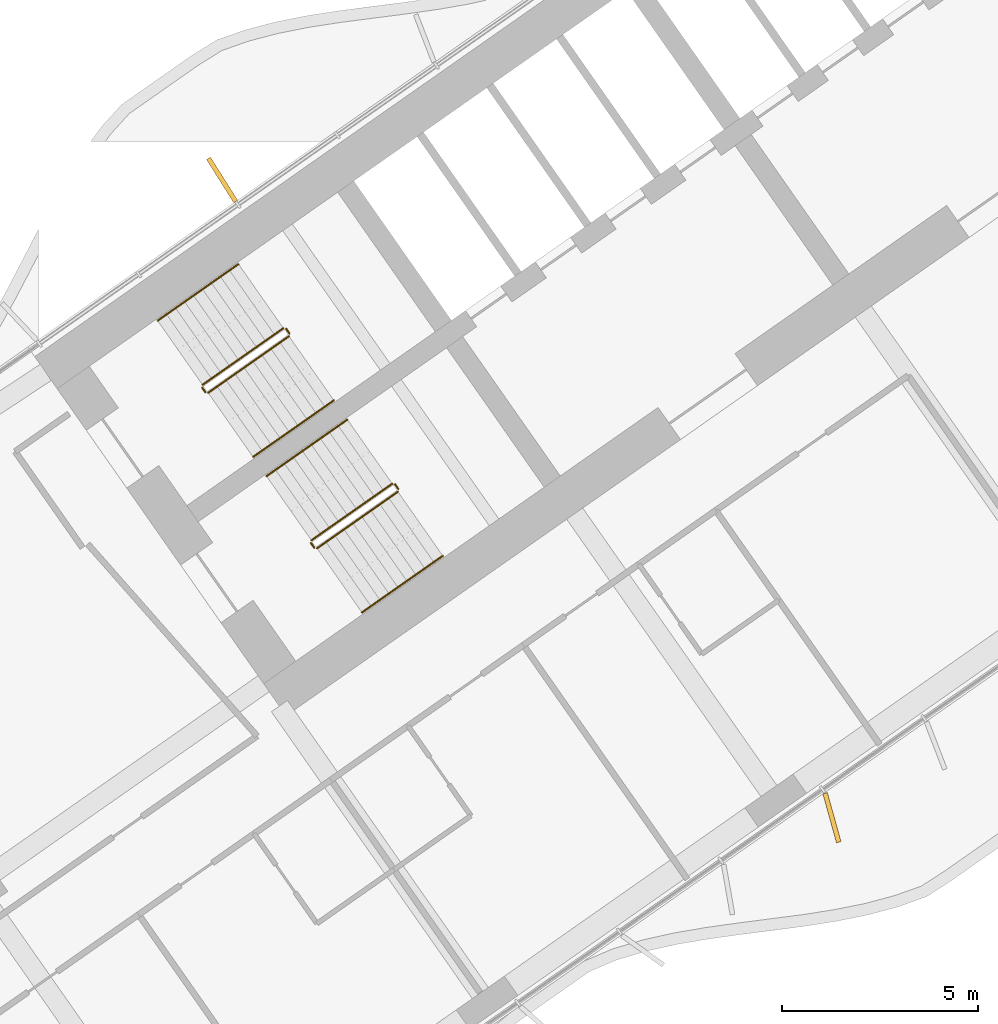
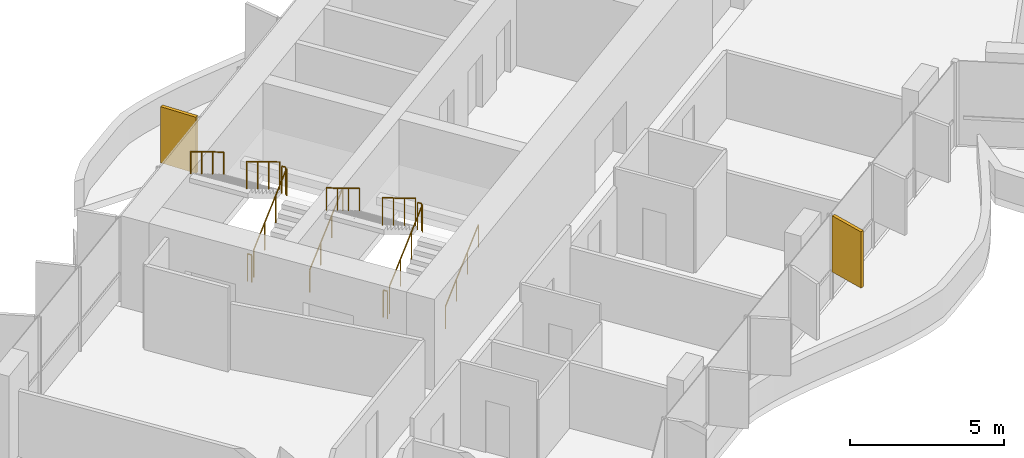
# One storey, part 19 of 23: 12 railings, 2 shading devices.
"""IFC4 building model written with IfcOpenShell, lengths in metres."""

from ifc_helpers import new_model, si_unit, direction, frame, origin, origin_2d, place, context, subcontext, project, spatial, rectangle, circle, extrude, material, layer, layer_set, type_object, element, save


model = new_model("IFC4")

# Units and contexts
model_context = context("Model", 3, precision=1e-05, world=origin(), true_north=direction((0.0, 1.0)))
body_context = subcontext(model_context, "Body", "Model", "MODEL_VIEW")
ifc_project = project(units=[si_unit("LENGTHUNIT", "METRE"), si_unit("AREAUNIT", "SQUARE_METRE"), si_unit("VOLUMEUNIT", "CUBIC_METRE"), si_unit("PLANEANGLEUNIT", "RADIAN"), si_unit("MASSUNIT", "GRAM", prefix="KILO")], contexts=[model_context])

# Site, building, storey
site_placement = place(None, origin())
site = spatial("IfcSite", under=ifc_project, at=site_placement, CompositionType="ELEMENT")
building_placement = place(site_placement, origin())
building = spatial("IfcBuilding", under=site, at=building_placement, Name="Tel Ilan Convention Tower", CompositionType="ELEMENT")
storey_placement = place(building_placement, frame((0.0, 0.0, 115.699951171875)))
storey = spatial("IfcBuildingStorey", under=building, at=storey_placement, Name="L25", CompositionType="ELEMENT", Elevation=115.699951171875)

# Shading devices
ifc_material_1 = material(Name="Aluminium, bronze anodised", Category="aluminium")
ifc_layer = layer(ifc_material_1, 0.1201171875)
ifc_layer_set = layer_set([ifc_layer], Name="FIN BRONZE 1300x120")
shading_device_type = type_object("IfcShadingDeviceType", Name="FIN BRONZE 1300x120", PredefinedType="USERDEFINED", material=ifc_layer_set)
for number, where, z_axis, x_axis, name in (
    (1, (-23.18017578125, -2.617431640625, 1.10009765625), (0.0, 0.0, 1.0), (-0.533204432798, 0.845986425922, 0.0), "FIN"),
    (2, (-7.599609375, -18.91162109375, 1.10009765625), (0.0, 0.0, 1.0), (0.268172612768, -0.963370878614, 0.0), "FIN"),
):
    element("IfcShadingDevice", number, at=place(storey_placement, frame(where, z_axis=z_axis, x_axis=x_axis)), inside=storey, type_object=shading_device_type, Name=name, ObjectType="FIN", PredefinedType="USERDEFINED", context=body_context, shape_type="SweptSolid", body=[
        extrude(rectangle(XDim=1.300048828125, YDim=0.1201171875, at=origin_2d()), origin(), (0.0, 0.0, 1.0), 2.219970703125),
    ])

# Railings
ifc_material_2 = material(Name="Stainless Steel Grade 316", Category="steel")
railing_type_1 = type_object("IfcRailingType", Name="Stainless Steel Stair Guard 1100 mm", PredefinedType="GUARDRAIL", material=ifc_material_2)
railing_1_placement = place(storey_placement, frame((-23.535400390625, -8.056396484375, 0.179931640625)))
element("IfcRailing", 3, at=railing_1_placement, inside=storey, type_object=railing_type_1, Name="L25 S1 stair guard 1", PredefinedType="GUARDRAIL", context=body_context, shape_type="SweptSolid", body=[
    extrude(circle(Radius=0.02392578125, at=origin_2d()), frame((0.0, 0.0, 1.076171875), z_axis=(0.689013013563, 0.482512838948, 0.540779462804), x_axis=(-0.573624882958, 0.819118119475, 0.0)), (0.0, 0.0, 1.0), 2.995849609375),
    extrude(circle(Radius=0.02099609375, at=origin_2d()), origin(), (0.0, 0.0, 1.0), 1.052001953125),
    extrude(circle(Radius=0.02099609375, at=origin_2d()), frame((0.68798828125, 0.48193359375, 0.5400390625)), (0.0, 0.0, 1.0), 1.052001953125),
    extrude(circle(Radius=0.02099609375, at=origin_2d()), frame((1.376220703125, 0.963623046875, 1.080078125)), (0.0, 0.0, 1.0), 1.052001953125),
    extrude(circle(Radius=0.02099609375, at=origin_2d()), frame((2.064208984375, 1.445556640625, 1.6201171875)), (0.0, 0.0, 1.0), 1.052001953125),
])
railing_2_placement = place(storey_placement, frame((-21.458984375, -6.541259765625, 1.800048828125)))
element("IfcRailing", 4, at=railing_2_placement, inside=storey, type_object=railing_type_1, Name="L25 S1 stair guard 2", PredefinedType="GUARDRAIL", context=body_context, shape_type="SweptSolid", body=[
    extrude(circle(Radius=0.02392578125, at=origin_2d()), frame((0.0, 0.0, 1.076171875), z_axis=(-0.573353020881, 0.819308436089, 0.0), x_axis=(-0.819308436089, -0.573353020881, 0.0)), (0.0, 0.0, 1.0), 0.14990234375),
    extrude(circle(Radius=0.02099609375, at=origin_2d()), origin(), (0.0, 0.0, 1.0), 1.052001953125),
    extrude(circle(Radius=0.02099609375, at=origin_2d()), frame((-0.0859375, 0.122802734375, 0.0)), (0.0, 0.0, 1.0), 1.052001953125),
])
railing_3_placement = place(storey_placement, frame((-21.614501953125, -6.406005859375, 1.97998046875)))
element("IfcRailing", 5, at=railing_3_placement, inside=storey, type_object=railing_type_1, Name="L25 S1 stair guard 3", PredefinedType="GUARDRAIL", context=body_context, shape_type="SweptSolid", body=[
    extrude(circle(Radius=0.02392578125, at=origin_2d()), frame((0.0, 0.0, 1.076171875), z_axis=(-0.689013013563, -0.482512838948, 0.540779462804), x_axis=(0.573624882958, -0.819118119475, 0.0)), (0.0, 0.0, 1.0), 2.995849609375),
    extrude(circle(Radius=0.02099609375, at=origin_2d()), origin(), (0.0, 0.0, 1.0), 1.052001953125),
    extrude(circle(Radius=0.02099609375, at=origin_2d()), frame((-0.68798828125, -0.48193359375, 0.5400390625)), (0.0, 0.0, 1.0), 1.052001953125),
    extrude(circle(Radius=0.02099609375, at=origin_2d()), frame((-1.376220703125, -0.963623046875, 1.080078125)), (0.0, 0.0, 1.0), 1.052001953125),
    extrude(circle(Radius=0.02099609375, at=origin_2d()), frame((-2.064208984375, -1.445556640625, 1.6201171875)), (0.0, 0.0, 1.0), 1.052001953125),
])
railing_4_placement = place(storey_placement, frame((-23.60498046875, -8.0439453125, 0.0)))
element("IfcRailing", 6, at=railing_4_placement, inside=storey, type_object=railing_type_1, Name="L25 S1 stair guard 4", PredefinedType="GUARDRAIL", context=body_context, shape_type="SweptSolid", body=[
    extrude(circle(Radius=0.02392578125, at=origin_2d()), frame((0.0, 0.0, 1.076171875), z_axis=(-0.574444878118, 0.818543268254, 0.0), x_axis=(-0.818543268254, -0.574444878118, 0.0)), (0.0, 0.0, 1.0), 0.150146484375),
    extrude(circle(Radius=0.02099609375, at=origin_2d()), origin(), (0.0, 0.0, 1.0), 1.052001953125),
    extrude(circle(Radius=0.02099609375, at=origin_2d()), frame((-0.086181640625, 0.122802734375, 0.0)), (0.0, 0.0, 1.0), 1.052001953125),
])
railing_5_placement = place(storey_placement, frame((-20.753662109375, -12.029296875, 0.179931640625)))
element("IfcRailing", 7, at=railing_5_placement, inside=storey, type_object=railing_type_1, Name="L25 S2 stair guard 1", PredefinedType="GUARDRAIL", context=body_context, shape_type="SweptSolid", body=[
    extrude(circle(Radius=0.02392578125, at=origin_2d()), frame((0.0, 0.0, 1.076171875), z_axis=(0.689055814419, 0.482485747064, 0.540749099395), x_axis=(-0.573579365141, 0.81914999352, 0.0)), (0.0, 0.0, 1.0), 2.99609375),
    extrude(circle(Radius=0.02099609375, at=origin_2d()), origin(), (0.0, 0.0, 1.0), 1.052001953125),
    extrude(circle(Radius=0.02099609375, at=origin_2d()), frame((0.688232421875, 0.48193359375, 0.5400390625)), (0.0, 0.0, 1.0), 1.052001953125),
    extrude(circle(Radius=0.02099609375, at=origin_2d()), frame((1.376220703125, 0.963623046875, 1.080078125)), (0.0, 0.0, 1.0), 1.052001953125),
    extrude(circle(Radius=0.02099609375, at=origin_2d()), frame((2.064453125, 1.445556640625, 1.6201171875)), (0.0, 0.0, 1.0), 1.052001953125),
])
railing_6_placement = place(storey_placement, frame((-18.677001953125, -10.51416015625, 1.800048828125)))
element("IfcRailing", 8, at=railing_6_placement, inside=storey, type_object=railing_type_1, Name="L25 S2 stair guard 2", PredefinedType="GUARDRAIL", context=body_context, shape_type="SweptSolid", body=[
    extrude(circle(Radius=0.02392578125, at=origin_2d()), frame((0.0, 0.0, 1.076171875), z_axis=(-0.573353020881, 0.819308436089, 0.0), x_axis=(-0.819308436089, -0.573353020881, 0.0)), (0.0, 0.0, 1.0), 0.14990234375),
    extrude(circle(Radius=0.02099609375, at=origin_2d()), origin(), (0.0, 0.0, 1.0), 1.052001953125),
    extrude(circle(Radius=0.02099609375, at=origin_2d()), frame((-0.0859375, 0.122802734375, 0.0)), (0.0, 0.0, 1.0), 1.052001953125),
])
railing_7_placement = place(storey_placement, frame((-18.832763671875, -10.37890625, 1.97998046875)))
element("IfcRailing", 9, at=railing_7_placement, inside=storey, type_object=railing_type_1, Name="L25 S2 stair guard 3", PredefinedType="GUARDRAIL", context=body_context, shape_type="SweptSolid", body=[
    extrude(circle(Radius=0.02392578125, at=origin_2d()), frame((0.0, 0.0, 1.076171875), z_axis=(-0.689013013563, -0.482512838948, 0.540779462804), x_axis=(0.573624882958, -0.819118119475, 0.0)), (0.0, 0.0, 1.0), 2.995849609375),
    extrude(circle(Radius=0.02099609375, at=origin_2d()), origin(), (0.0, 0.0, 1.0), 1.052001953125),
    extrude(circle(Radius=0.02099609375, at=origin_2d()), frame((-0.68798828125, -0.48193359375, 0.5400390625)), (0.0, 0.0, 1.0), 1.052001953125),
    extrude(circle(Radius=0.02099609375, at=origin_2d()), frame((-1.376220703125, -0.963623046875, 1.080078125)), (0.0, 0.0, 1.0), 1.052001953125),
    extrude(circle(Radius=0.02099609375, at=origin_2d()), frame((-2.064208984375, -1.445556640625, 1.6201171875)), (0.0, 0.0, 1.0), 1.052001953125),
])
railing_8_placement = place(storey_placement, frame((-20.8232421875, -12.016845703125, 0.0)))
element("IfcRailing", 10, at=railing_8_placement, inside=storey, type_object=railing_type_1, Name="L25 S2 stair guard 4", PredefinedType="GUARDRAIL", context=body_context, shape_type="SweptSolid", body=[
    extrude(circle(Radius=0.02392578125, at=origin_2d()), frame((0.0, 0.0, 1.076171875), z_axis=(-0.573353020881, 0.819308436089, 0.0), x_axis=(-0.819308436089, -0.573353020881, 0.0)), (0.0, 0.0, 1.0), 0.14990234375),
    extrude(circle(Radius=0.02099609375, at=origin_2d()), origin(), (0.0, 0.0, 1.0), 1.052001953125),
    extrude(circle(Radius=0.02099609375, at=origin_2d()), frame((-0.0859375, 0.122802734375, 0.0)), (0.0, 0.0, 1.0), 1.052001953125),
])
ifc_material_3 = material(Name="Stainless Steel Grade 316", Category="steel")
railing_type_2 = type_object("IfcRailingType", Name="Stainless Steel Stair Handrail 900 mm", PredefinedType="HANDRAIL", material=ifc_material_3)
railing_9_placement = place(storey_placement, frame((-22.38818359375, -9.694580078125, 0.179931640625)))
element("IfcRailing", 11, at=railing_9_placement, inside=storey, type_object=railing_type_2, Name="L25 S1 stair handrail 1", PredefinedType="HANDRAIL", context=body_context, shape_type="SweptSolid", body=[
    extrude(circle(Radius=0.02392578125, at=origin_2d()), frame((0.0, 0.0, 0.8759765625), z_axis=(0.689040105437, 0.482450316285, 0.54080072616), x_axis=(-0.573559875649, 0.819163639968, 0.0)), (0.0, 0.0, 1.0), 2.995849609375),
    extrude(circle(Radius=0.02099609375, at=origin_2d()), origin(), (0.0, 0.0, 1.0), 0.851806640625),
    extrude(circle(Radius=0.02099609375, at=origin_2d()), frame((0.68798828125, 0.481689453125, 0.5400390625)), (0.0, 0.0, 1.0), 0.851806640625),
    extrude(circle(Radius=0.02099609375, at=origin_2d()), frame((1.376220703125, 0.963623046875, 1.080078125)), (0.0, 0.0, 1.0), 0.851806640625),
    extrude(circle(Radius=0.02099609375, at=origin_2d()), frame((2.064208984375, 1.4453125, 1.6201171875)), (0.0, 0.0, 1.0), 0.851806640625),
])
railing_10_placement = place(storey_placement, frame((-22.76171875, -4.767822265625, 1.97998046875)))
element("IfcRailing", 12, at=railing_10_placement, inside=storey, type_object=railing_type_2, Name="L25 S1 stair handrail 2", PredefinedType="HANDRAIL", context=body_context, shape_type="SweptSolid", body=[
    extrude(circle(Radius=0.02392578125, at=origin_2d()), frame((0.0, 0.0, 0.8759765625), z_axis=(-0.689040105437, -0.482450316285, 0.54080072616), x_axis=(0.573559875649, -0.819163639968, 0.0)), (0.0, 0.0, 1.0), 2.995849609375),
    extrude(circle(Radius=0.02099609375, at=origin_2d()), origin(), (0.0, 0.0, 1.0), 0.851806640625),
    extrude(circle(Radius=0.02099609375, at=origin_2d()), frame((-0.68798828125, -0.481689453125, 0.5400390625)), (0.0, 0.0, 1.0), 0.851806640625),
    extrude(circle(Radius=0.02099609375, at=origin_2d()), frame((-1.376220703125, -0.963623046875, 1.080078125)), (0.0, 0.0, 1.0), 0.851806640625),
    extrude(circle(Radius=0.02099609375, at=origin_2d()), frame((-2.064208984375, -1.4453125, 1.6201171875)), (0.0, 0.0, 1.0), 0.851806640625),
])
railing_11_placement = place(storey_placement, frame((-19.6064453125, -13.66748046875, 0.179931640625)))
element("IfcRailing", 13, at=railing_11_placement, inside=storey, type_object=railing_type_2, Name="L25 S2 stair handrail 1", PredefinedType="HANDRAIL", context=body_context, shape_type="SweptSolid", body=[
    extrude(circle(Radius=0.02392578125, at=origin_2d()), frame((0.0, 0.0, 0.8759765625), z_axis=(0.689040105437, 0.482450316285, 0.54080072616), x_axis=(-0.573559875649, 0.819163639968, 0.0)), (0.0, 0.0, 1.0), 2.995849609375),
    extrude(circle(Radius=0.02099609375, at=origin_2d()), origin(), (0.0, 0.0, 1.0), 0.851806640625),
    extrude(circle(Radius=0.02099609375, at=origin_2d()), frame((0.68798828125, 0.481689453125, 0.5400390625)), (0.0, 0.0, 1.0), 0.851806640625),
    extrude(circle(Radius=0.02099609375, at=origin_2d()), frame((1.376220703125, 0.963623046875, 1.080078125)), (0.0, 0.0, 1.0), 0.851806640625),
    extrude(circle(Radius=0.02099609375, at=origin_2d()), frame((2.064208984375, 1.4453125, 1.6201171875)), (0.0, 0.0, 1.0), 0.851806640625),
])
railing_12_placement = place(storey_placement, frame((-19.979736328125, -8.74072265625, 1.97998046875)))
element("IfcRailing", 14, at=railing_12_placement, inside=storey, type_object=railing_type_2, Name="L25 S2 stair handrail 2", PredefinedType="HANDRAIL", context=body_context, shape_type="SweptSolid", body=[
    extrude(circle(Radius=0.02392578125, at=origin_2d()), frame((0.0, 0.0, 0.8759765625), z_axis=(-0.689082904933, -0.482423225781, 0.540770359169), x_axis=(0.573514357932, -0.81919550856, 0.0)), (0.0, 0.0, 1.0), 2.995849609375),
    extrude(circle(Radius=0.02099609375, at=origin_2d()), origin(), (0.0, 0.0, 1.0), 0.851806640625),
    extrude(circle(Radius=0.02099609375, at=origin_2d()), frame((-0.688232421875, -0.481689453125, 0.5400390625)), (0.0, 0.0, 1.0), 0.851806640625),
    extrude(circle(Radius=0.02099609375, at=origin_2d()), frame((-1.376220703125, -0.963623046875, 1.080078125)), (0.0, 0.0, 1.0), 0.851806640625),
    extrude(circle(Radius=0.02099609375, at=origin_2d()), frame((-2.064453125, -1.4453125, 1.6201171875)), (0.0, 0.0, 1.0), 0.851806640625),
])

save(model, "model.ifc")
